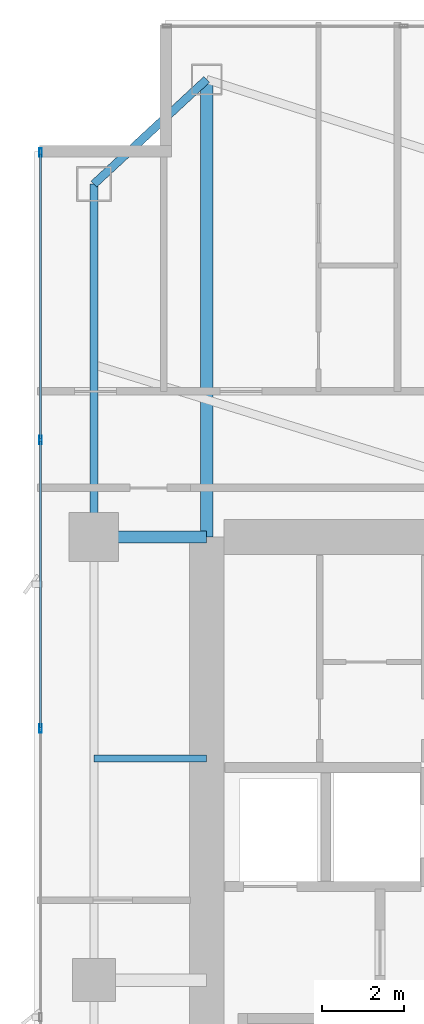
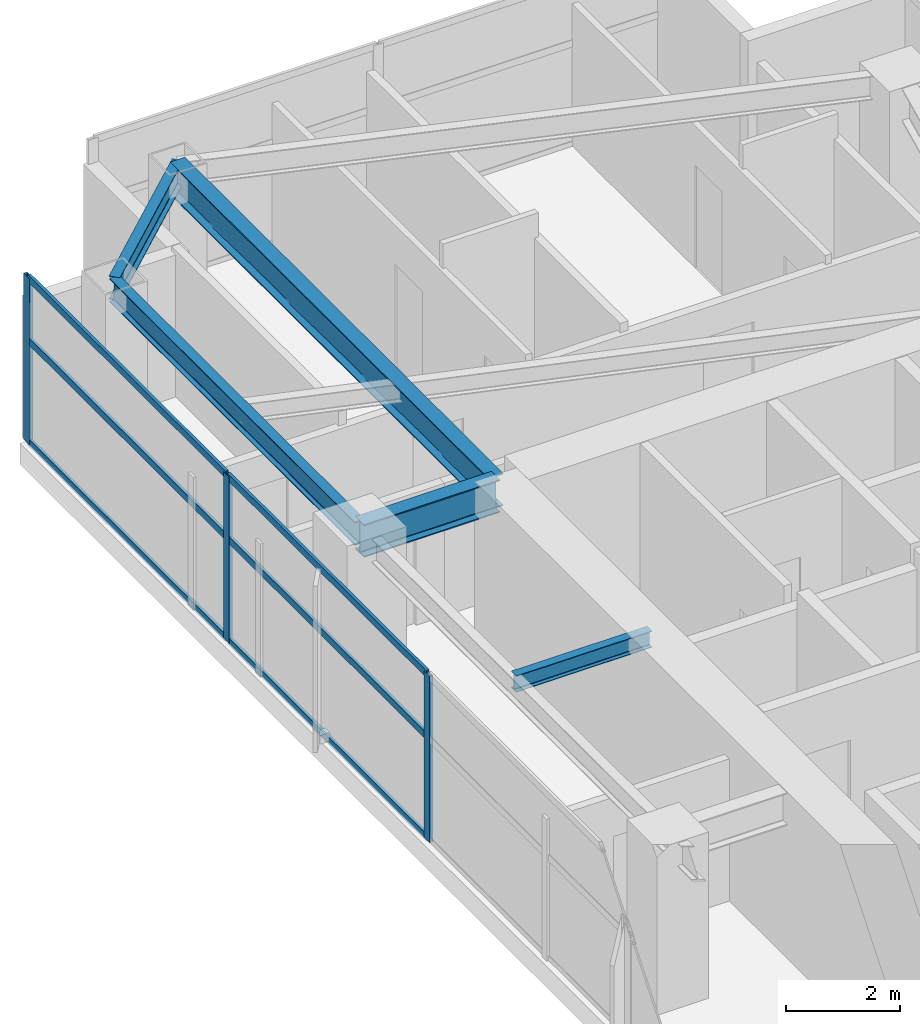
# One storey, part 16 of 28: 9 members, 5 beams, 1 element without a shape of its own.
"""IFC4 building model written with IfcOpenShell, lengths in metres."""

import ifcopenshell
import ifcopenshell.guid

model = None  # the IFC model being written
_history = None  # IfcOwnerHistory: only IFC2X3 demands one
_inside = {}  # id of a spatial element -> (the spatial element, [elements in it])
_under = {}  # id of a project, library or spatial element -> (it, [spatial elements below it])
_declared = {}  # id of a project -> (the project, [libraries it declares])
_typed = {}  # id of a type object -> (the type object, [elements of that type])
_made_of = {}  # id of a material, layer set ... -> (it, [elements and type objects made of it])


def new_model(schema):
    """Start an empty IFC model of exactly this schema.

    Asked for "IFC4X3", IfcOpenShell would pick the latest addendum, in which some entities
    have other attributes; the version numbers below select the first issue.
    IFC2X3 requires an IfcOwnerHistory on every rooted entity: one is made here for all.
    """
    global model, _history
    if schema == "IFC4X3":
        model = ifcopenshell.file(schema_version=(4, 3, 0, 0))
    else:
        model = ifcopenshell.file(schema=schema)
    _inside.clear()
    _under.clear()
    _declared.clear()
    _typed.clear()
    _made_of.clear()
    _history = None
    if model.schema == "IFC2X3":
        org = make("IfcOrganization", Name="unknown")
        user = make(
            "IfcPersonAndOrganization",
            ThePerson=make("IfcPerson", FamilyName="unknown"),
            TheOrganization=org,
        )
        app = make(
            "IfcApplication",
            ApplicationDeveloper=org,
            Version="unknown",
            ApplicationFullName="unknown",
            ApplicationIdentifier="unknown",
        )
        _history = make(
            "IfcOwnerHistory",
            OwningUser=user,
            OwningApplication=app,
            ChangeAction="ADDED",
            CreationDate=0,
        )
    return model


def make(cls, **values):
    """One entity of the class cls with the attributes given. An attribute that is None is left unset."""
    return model.create_entity(
        cls, **{name: value for name, value in values.items() if value is not None}
    )


def rooted(cls, **values):
    """An entity with a GlobalId (a new one), such as an element, a storey or a relation."""
    return make(cls, GlobalId=ifcopenshell.guid.new(), OwnerHistory=_history, **values)


def si_unit(unit_type, name, prefix=None):
    """IfcSIUnit, for example si_unit("LENGTHUNIT", "METRE", prefix="MILLI")."""
    return make("IfcSIUnit", UnitType=unit_type, Prefix=prefix, Name=name)


def assignment(units):
    """IfcUnitAssignment: the units of a project."""
    return None if units is None else make("IfcUnitAssignment", Units=units)


def point(xyz):
    """IfcCartesianPoint."""
    return None if xyz is None else make("IfcCartesianPoint", Coordinates=xyz)


def direction(xyz):
    """IfcDirection."""
    return None if xyz is None else make("IfcDirection", DirectionRatios=xyz)


def frame(location, z_axis=None, x_axis=None):
    """IfcAxis2Placement3D, a coordinate frame: its origin and axes. An axis left out is left unset."""
    return make(
        "IfcAxis2Placement3D",
        Location=point(location),
        Axis=direction(z_axis),
        RefDirection=direction(x_axis),
    )


def frame_2d(location, x_axis=None):
    """IfcAxis2Placement2D, a coordinate frame in the plane: its origin and x axis."""
    return make(
        "IfcAxis2Placement2D", Location=point(location), RefDirection=direction(x_axis)
    )


def origin():
    """The frame at (0, 0, 0) with its axes left unset."""
    return frame((0.0, 0.0, 0.0))


def origin_2d():
    """The frame at (0, 0) in the plane with its x axis left unset."""
    return frame_2d((0.0, 0.0))


def place(relative_to, where):
    """IfcLocalPlacement: puts the frame where relative to a parent placement (None: the world)."""
    return make(
        "IfcLocalPlacement", PlacementRelTo=relative_to, RelativePlacement=where
    )


def context(
    kind, dimensions, precision=None, world=None, true_north=None, identifier=None
):
    """IfcGeometricRepresentationContext, for example the 3D "Model" context."""
    return make(
        "IfcGeometricRepresentationContext",
        ContextIdentifier=identifier,
        ContextType=kind,
        CoordinateSpaceDimension=dimensions,
        Precision=precision,
        WorldCoordinateSystem=world,
        TrueNorth=true_north,
    )


def subcontext(parent, identifier, kind, view, scale=None):
    """IfcGeometricRepresentationSubContext, for example "Body" below "Model"."""
    return make(
        "IfcGeometricRepresentationSubContext",
        ContextIdentifier=identifier,
        ContextType=kind,
        ParentContext=parent,
        TargetScale=scale,
        TargetView=view,
    )


def project(units=None, contexts=None):
    """IfcProject with its units and contexts."""
    return rooted(
        "IfcProject",
        Name="project",
        RepresentationContexts=contexts,
        UnitsInContext=assignment(units),
    )


def spatial(cls, under=None, at=None, **own):
    """A site, building, storey or space (cls), placed at a placement, below another one or the project."""
    s = rooted(cls, ObjectPlacement=at, **own)
    if under is not None:
        _under.setdefault(under.id(), (under, []))[1].append(s)
    return s


def profile(cls, at=None, kind="AREA", **sizes):
    """A parametric profile (cls). Its sizes go by their IFC names, for example OverallWidth=200.0."""
    return make(cls, ProfileType=kind, Position=at, **sizes)


def hollow_rectangle(**sizes):
    """IfcRectangleHollowProfileDef."""
    return profile("IfcRectangleHollowProfileDef", **sizes)


def i_section(**sizes):
    """IfcIShapeProfileDef."""
    return profile("IfcIShapeProfileDef", **sizes)


def extrude(swept, where, along, depth):
    """IfcExtrudedAreaSolid: the profile swept, set in the frame where, extruded along a direction by depth."""
    return make(
        "IfcExtrudedAreaSolid",
        SweptArea=swept,
        Position=where,
        ExtrudedDirection=direction(along),
        Depth=depth,
    )


def shape(context_of_items, identifier, shape_type, items):
    """IfcShapeRepresentation: the items that make up one representation, for example the "Body"."""
    return make(
        "IfcShapeRepresentation",
        ContextOfItems=context_of_items,
        RepresentationIdentifier=identifier,
        RepresentationType=shape_type,
        Items=items,
    )


def material(Name=None, Category=None):
    """IfcMaterial."""
    return make("IfcMaterial", Name=Name, Category=Category)


def layer(
    of_material, thickness, ventilated=None, Name=None, Category=None, Priority=None
):
    """IfcMaterialLayer: one layer of a wall or slab, of a material (None: an air gap)."""
    return make(
        "IfcMaterialLayer",
        Material=of_material,
        LayerThickness=thickness,
        IsVentilated=ventilated,
        Name=Name,
        Category=Category,
        Priority=Priority,
    )


def layer_set(layers, Name=None):
    """IfcMaterialLayerSet."""
    return make("IfcMaterialLayerSet", MaterialLayers=layers, LayerSetName=Name)


def material_profile(
    of_material, cross_section, Name=None, Category=None, Priority=None
):
    """IfcMaterialProfile: a cross section and its material."""
    return make(
        "IfcMaterialProfile",
        Name=Name,
        Material=of_material,
        Profile=cross_section,
        Priority=Priority,
        Category=Category,
    )


def profile_set(profiles, Name=None, composite=None):
    """IfcMaterialProfileSet."""
    return make(
        "IfcMaterialProfileSet",
        Name=Name,
        MaterialProfiles=profiles,
        CompositeProfile=composite,
    )


def made_of(thing, what):
    """Note that an element or type object is made of a material, layer set ...; save() writes the relation."""
    if what is not None:
        _made_of.setdefault(what.id(), (what, []))[1].append(thing)
    return thing


def type_object(cls, material=None, **own):
    """A type object (cls), such as IfcWallType, which elements share."""
    return made_of(rooted(cls, **own), material)


def element(
    cls,
    number,
    at=None,
    inside=None,
    cuts=None,
    type_object=None,
    material=None,
    context=None,
    identifier="Body",
    shape_type=None,
    held_by="IfcProductDefinitionShape",
    body=None,
    shapes=None,
    **own,
):
    """One element of the class cls, such as IfcWall. Its Tag is "e" and its number.

    at: its placement. inside: the storey or other place that contains it. cuts: it is an
    opening in that element (IfcRelVoidsElement). A single representation is given by context,
    identifier, shape_type and body (its items); several are given by shapes. held_by: the class
    of the entity that holds the representations. save() writes the other relations.
    """
    e = rooted(cls, Tag="e%d" % number, ObjectPlacement=at, **own)
    if body is not None:
        shapes = [shape(context, identifier, shape_type, body)]
    if shapes is not None:
        e.Representation = make(held_by, Representations=shapes)
    if inside is not None:
        _inside.setdefault(inside.id(), (inside, []))[1].append(e)
    if cuts is not None:
        rooted(
            "IfcRelVoidsElement", RelatingBuildingElement=cuts, RelatedOpeningElement=e
        )
    if type_object is not None:
        _typed.setdefault(type_object.id(), (type_object, []))[1].append(e)
    return made_of(e, material)


def aggregate(whole, parts):
    """IfcRelAggregates: a whole, such as a stair, and the parts it consists of."""
    return rooted("IfcRelAggregates", RelatingObject=whole, RelatedObjects=parts)


def save(model, path):
    """Write the relations noted so far, then the file.

    IfcRelAggregates (storeys below a building ...), IfcRelContainedInSpatialStructure (elements
    in a storey), IfcRelDefinesByType, IfcRelAssociatesMaterial and IfcRelDeclares: one each for
    every whole, place, type object, material and project.
    """
    for whole, parts in _under.values():
        aggregate(whole, parts)
    for where, things in _inside.values():
        rooted(
            "IfcRelContainedInSpatialStructure",
            RelatedElements=things,
            RelatingStructure=where,
        )
    for kind, things in _typed.values():
        rooted("IfcRelDefinesByType", RelatedObjects=things, RelatingType=kind)
    for what, things in _made_of.values():
        rooted("IfcRelAssociatesMaterial", RelatedObjects=things, RelatingMaterial=what)
    for by, libraries in _declared.values():
        rooted("IfcRelDeclares", RelatingContext=by, RelatedDefinitions=libraries)
    model.write(path)


model = new_model("IFC4")

# Units and contexts
model_context = context("Model", 3, precision=1e-05, world=origin(), true_north=direction((0.0, 1.0)))
body_context = subcontext(model_context, "Body", "Model", "MODEL_VIEW")
ifc_project = project(units=[si_unit("LENGTHUNIT", "METRE"), si_unit("AREAUNIT", "SQUARE_METRE"), si_unit("VOLUMEUNIT", "CUBIC_METRE"), si_unit("PLANEANGLEUNIT", "RADIAN"), si_unit("MASSUNIT", "GRAM", prefix="KILO")], contexts=[model_context])

# Site, building, storey
site_placement = place(None, origin())
site = spatial("IfcSite", under=ifc_project, at=site_placement, CompositionType="ELEMENT")
building_placement = place(site_placement, origin())
building = spatial("IfcBuilding", under=site, at=building_placement, Name="Calvorn Quay Hotel", CompositionType="ELEMENT")
storey_placement = place(building_placement, frame((0.0, 0.0, 97.39990234375)))
storey = spatial("IfcBuildingStorey", under=building, at=storey_placement, Name="L23", CompositionType="ELEMENT", Elevation=97.39990234375)

# Beams
ifc_material_1 = material(Name="Steel Q390GJC", Category="steel")
ifc_material_profile_1 = material_profile(ifc_material_1, i_section(OverallWidth=0.300048828125, OverallDepth=0.699951171875, WebThickness=0.012939453125, FlangeThickness=0.02392578125, FilletRadius=0.02392578125, at=origin_2d()), Name="HN700x300x13x24")
ifc_profile_set_1 = profile_set([ifc_material_profile_1], Name="Steel Q390GJC")
beam_type_1 = type_object("IfcBeamType", Name="BM-GIRD-MAIN", PredefinedType="BEAM", material=ifc_profile_set_1)
beam_1_placement = place(storey_placement, frame((1.449951171875, 38.39990234375, 3.190185546875), z_axis=(1.0, 0.0, 0.0), x_axis=(0.0, 1.0, 0.0)))
element("IfcBeam", 1, at=beam_1_placement, inside=storey, type_object=beam_type_1, Name="Beam BG-L23-W3", PredefinedType="BEAM", context=body_context, shape_type="SweptSolid", body=[
    extrude(i_section(OverallWidth=0.300048828125, OverallDepth=0.699951171875, WebThickness=0.012939453125, FlangeThickness=0.02392578125, FilletRadius=0.02392578125, at=origin_2d()), origin(), (0.0, 0.0, 1.0), 2.75),
])
beam_2_placement = place(storey_placement, frame((4.199951171875, 49.550048828125, 3.190185546875), z_axis=(0.0, -1.0, 0.0), x_axis=(1.0, 0.0, 0.0)))
element("IfcBeam", 2, at=beam_2_placement, inside=storey, type_object=beam_type_1, Name="Beam BG-L23-W5", PredefinedType="BEAM", context=body_context, shape_type="SweptSolid", body=[
    extrude(i_section(OverallWidth=0.300048828125, OverallDepth=0.699951171875, WebThickness=0.012939453125, FlangeThickness=0.02392578125, FilletRadius=0.02392578125, at=origin_2d()), origin(), (0.0, 0.0, 1.0), 11.150146484375),
])
ifc_material_2 = material(Name="Steel Q355B", Category="steel")
ifc_material_profile_2 = material_profile(ifc_material_2, i_section(OverallWidth=0.175048828125, OverallDepth=0.35009765625, WebThickness=0.007080078125, FlangeThickness=0.010986328125, FilletRadius=0.013916015625, at=origin_2d()), Name="HN350x175x7x11")
ifc_profile_set_2 = profile_set([ifc_material_profile_2], Name="Steel Q355B")
beam_type_2 = type_object("IfcBeamType", Name="BM-JOIST-SEC", PredefinedType="JOIST", material=ifc_profile_set_2)
beam_3_placement = place(storey_placement, frame((1.449951171875, 33.0, 3.364990234375), z_axis=(1.0, 0.0, 0.0), x_axis=(0.0, 1.0, 0.0)))
element("IfcBeam", 3, at=beam_3_placement, inside=storey, type_object=beam_type_2, Name="Beam BJ-L23-W4", PredefinedType="JOIST", context=body_context, shape_type="SweptSolid", body=[
    extrude(i_section(OverallWidth=0.175048828125, OverallDepth=0.35009765625, WebThickness=0.007080078125, FlangeThickness=0.010986328125, FilletRadius=0.013916015625, at=origin_2d()), origin(), (0.0, 0.0, 1.0), 2.75),
])
ifc_material_3 = material(Name="Steel Q355B", Category="steel")
ifc_material_profile_3 = material_profile(ifc_material_3, i_section(OverallWidth=0.199951171875, OverallDepth=0.5, WebThickness=0.010009765625, FlangeThickness=0.01611328125, FilletRadius=0.01611328125, at=origin_2d()), Name="HN500x200x10x16")
ifc_profile_set_3 = profile_set([ifc_material_profile_3], Name="Steel Q355B")
beam_type_3 = type_object("IfcBeamType", Name="BM-SPANDREL-Z1", PredefinedType="SPANDREL", material=ifc_profile_set_3)
beam_4_placement = place(storey_placement, frame((1.449951171875, 38.39990234375, 3.2900390625), z_axis=(0.0, 1.0, 0.0), x_axis=(-1.0, 0.0, 0.0)))
element("IfcBeam", 4, at=beam_4_placement, inside=storey, type_object=beam_type_3, Name="Beam BSP-L23-W4", PredefinedType="SPANDREL", context=body_context, shape_type="SweptSolid", body=[
    extrude(i_section(OverallWidth=0.199951171875, OverallDepth=0.5, WebThickness=0.010009765625, FlangeThickness=0.01611328125, FilletRadius=0.01611328125, at=origin_2d()), origin(), (0.0, 0.0, 1.0), 8.60009765625),
])
beam_5_placement = place(storey_placement, frame((1.449951171875, 47.0, 3.2900390625), z_axis=(0.733261665538, 0.679946563969, 0.0), x_axis=(-0.679946563969, 0.733261665538, 0.0)))
element("IfcBeam", 5, at=beam_5_placement, inside=storey, type_object=beam_type_3, Name="Beam BSP-L23-W5", PredefinedType="SPANDREL", context=body_context, shape_type="SweptSolid", body=[
    extrude(i_section(OverallWidth=0.199951171875, OverallDepth=0.5, WebThickness=0.010009765625, FlangeThickness=0.01611328125, FilletRadius=0.01611328125, at=origin_2d()), origin(), (0.0, 0.0, 1.0), 3.75048828125),
])

# Curtain wall, members
ifc_material_4 = material(Name="Pale Anodised Aluminium and Low-E Glass", Category="aluminium")
ifc_layer = layer(ifc_material_4, 0.219970703125)
ifc_layer_set = layer_set([ifc_layer], Name="CW-SYS-Z2")
curtain_wall_type = type_object("IfcCurtainWallType", Name="CW-SYS-Z2", PredefinedType="NOTDEFINED", material=ifc_layer_set)
curtain_wall_placement = place(storey_placement, origin())
curtain_wall = element("IfcCurtainWall", 6, at=curtain_wall_placement, inside=storey, type_object=curtain_wall_type, Name="Tower West Curtain Wall (L23)", PredefinedType="NOTDEFINED")
ifc_material_5 = material(Name="Pale Anodised Aluminium 6063-T6", Category="aluminium")
ifc_material_profile_4 = material_profile(ifc_material_5, hollow_rectangle(XDim=0.070068359375, YDim=0.199951171875, WallThickness=0.00390625, at=origin_2d()), Name="ALU-M200x70x4")
ifc_profile_set_4 = profile_set([ifc_material_profile_4], Name="Pale Anodised Aluminium 6063-T6")
member_type_1 = type_object("IfcMemberType", Name="CW-SYS-Z2-MUL", PredefinedType="MULLION", material=ifc_profile_set_4)
member_1_placement = place(storey_placement, frame((0.14990234375, 33.7333984375, 0.0), z_axis=(0.0, 0.0, 1.0), x_axis=(-1.0, 0.0, 0.0)))
member_1 = element("IfcMember", 7, at=member_1_placement, type_object=member_type_1, Name="CW-L23-W mullion 5", PredefinedType="MULLION", context=body_context, shape_type="SweptSolid", body=[
    extrude(hollow_rectangle(XDim=0.070068359375, YDim=0.199951171875, WallThickness=0.00390625, at=origin_2d()), origin(), (0.0, 0.0, 1.0), 3.56005859375),
])
member_2_placement = place(storey_placement, frame((0.14990234375, 40.7666015625, 0.0), z_axis=(0.0, 0.0, 1.0), x_axis=(-1.0, 0.0, 0.0)))
member_2 = element("IfcMember", 8, at=member_2_placement, type_object=member_type_1, Name="CW-L23-W mullion 6", PredefinedType="MULLION", context=body_context, shape_type="SweptSolid", body=[
    extrude(hollow_rectangle(XDim=0.070068359375, YDim=0.199951171875, WallThickness=0.00390625, at=origin_2d()), origin(), (0.0, 0.0, 1.0), 3.56005859375),
])
member_3_placement = place(storey_placement, frame((0.14990234375, 47.77001953125, 0.0), z_axis=(0.0, 0.0, 1.0), x_axis=(-1.0, 0.0, 0.0)))
member_3 = element("IfcMember", 9, at=member_3_placement, type_object=member_type_1, Name="CW-L23-W mullion 7", PredefinedType="MULLION", context=body_context, shape_type="SweptSolid", body=[
    extrude(hollow_rectangle(XDim=0.070068359375, YDim=0.199951171875, WallThickness=0.00390625, at=origin_2d()), origin(), (0.0, 0.0, 1.0), 3.56005859375),
])
ifc_material_6 = material(Name="Pale Anodised Aluminium 6063-T6", Category="aluminium")
ifc_material_profile_5 = material_profile(ifc_material_6, hollow_rectangle(XDim=0.06005859375, YDim=0.14990234375, WallThickness=0.00341796875, at=origin_2d()), Name="ALU-T150x60x3.5")
ifc_profile_set_5 = profile_set([ifc_material_profile_5], Name="Pale Anodised Aluminium 6063-T6")
member_type_2 = type_object("IfcMemberType", Name="CW-SYS-Z2-TRN", PredefinedType="USERDEFINED", material=ifc_profile_set_5)
member_4_placement = place(storey_placement, frame((0.14990234375, 33.763427734375, 0.030029296875), z_axis=(0.0, 1.0, 0.0), x_axis=(-1.0, 0.0, 0.0)))
member_4 = element("IfcMember", 10, at=member_4_placement, type_object=member_type_2, Name="CW-L23-W transom 5.1", ObjectType="TRANSOM", PredefinedType="USERDEFINED", context=body_context, shape_type="SweptSolid", body=[
    extrude(hollow_rectangle(XDim=0.06005859375, YDim=0.14990234375, WallThickness=0.00341796875, at=origin_2d()), origin(), (0.0, 0.0, 1.0), 6.97314453125),
])
member_5_placement = place(storey_placement, frame((0.14990234375, 33.763427734375, 2.2001953125), z_axis=(0.0, 1.0, 0.0), x_axis=(-1.0, 0.0, 0.0)))
member_5 = element("IfcMember", 11, at=member_5_placement, type_object=member_type_2, Name="CW-L23-W transom 5.2", ObjectType="TRANSOM", PredefinedType="USERDEFINED", context=body_context, shape_type="SweptSolid", body=[
    extrude(hollow_rectangle(XDim=0.06005859375, YDim=0.14990234375, WallThickness=0.00341796875, at=origin_2d()), origin(), (0.0, 0.0, 1.0), 6.97314453125),
])
member_6_placement = place(storey_placement, frame((0.14990234375, 33.763427734375, 3.530029296875), z_axis=(0.0, 1.0, 0.0), x_axis=(-1.0, 0.0, 0.0)))
member_6 = element("IfcMember", 12, at=member_6_placement, type_object=member_type_2, Name="CW-L23-W transom 5.3", ObjectType="TRANSOM", PredefinedType="USERDEFINED", context=body_context, shape_type="SweptSolid", body=[
    extrude(hollow_rectangle(XDim=0.06005859375, YDim=0.14990234375, WallThickness=0.00341796875, at=origin_2d()), origin(), (0.0, 0.0, 1.0), 6.97314453125),
])
member_7_placement = place(storey_placement, frame((0.14990234375, 40.796630859375, 0.030029296875), z_axis=(0.0, 1.0, 0.0), x_axis=(-1.0, 0.0, 0.0)))
member_7 = element("IfcMember", 13, at=member_7_placement, type_object=member_type_2, Name="CW-L23-W transom 6.1", ObjectType="TRANSOM", PredefinedType="USERDEFINED", context=body_context, shape_type="SweptSolid", body=[
    extrude(hollow_rectangle(XDim=0.06005859375, YDim=0.14990234375, WallThickness=0.00341796875, at=origin_2d()), origin(), (0.0, 0.0, 1.0), 6.943359375),
])
member_8_placement = place(storey_placement, frame((0.14990234375, 40.796630859375, 2.2001953125), z_axis=(0.0, 1.0, 0.0), x_axis=(-1.0, 0.0, 0.0)))
member_8 = element("IfcMember", 14, at=member_8_placement, type_object=member_type_2, Name="CW-L23-W transom 6.2", ObjectType="TRANSOM", PredefinedType="USERDEFINED", context=body_context, shape_type="SweptSolid", body=[
    extrude(hollow_rectangle(XDim=0.06005859375, YDim=0.14990234375, WallThickness=0.00341796875, at=origin_2d()), origin(), (0.0, 0.0, 1.0), 6.943359375),
])
member_9_placement = place(storey_placement, frame((0.14990234375, 40.796630859375, 3.530029296875), z_axis=(0.0, 1.0, 0.0), x_axis=(-1.0, 0.0, 0.0)))
member_9 = element("IfcMember", 15, at=member_9_placement, type_object=member_type_2, Name="CW-L23-W transom 6.3", ObjectType="TRANSOM", PredefinedType="USERDEFINED", context=body_context, shape_type="SweptSolid", body=[
    extrude(hollow_rectangle(XDim=0.06005859375, YDim=0.14990234375, WallThickness=0.00341796875, at=origin_2d()), origin(), (0.0, 0.0, 1.0), 6.943359375),
])
aggregate(curtain_wall, [member_1, member_2, member_3, member_4, member_5, member_6, member_7, member_8, member_9])

save(model, "model.ifc")
